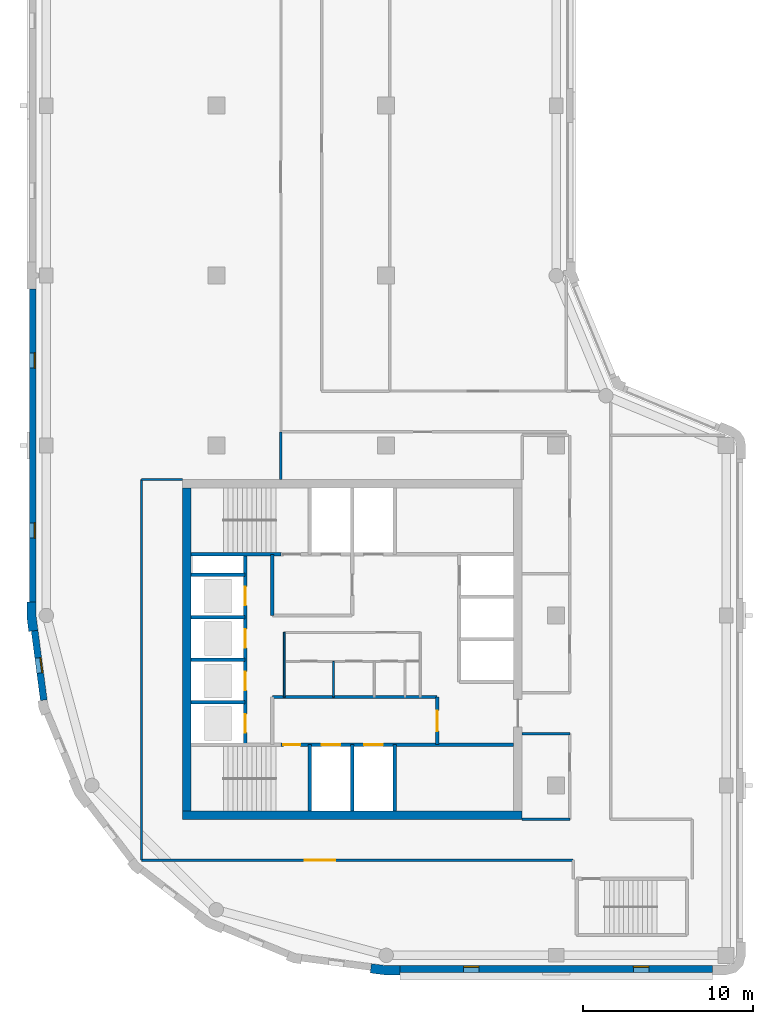
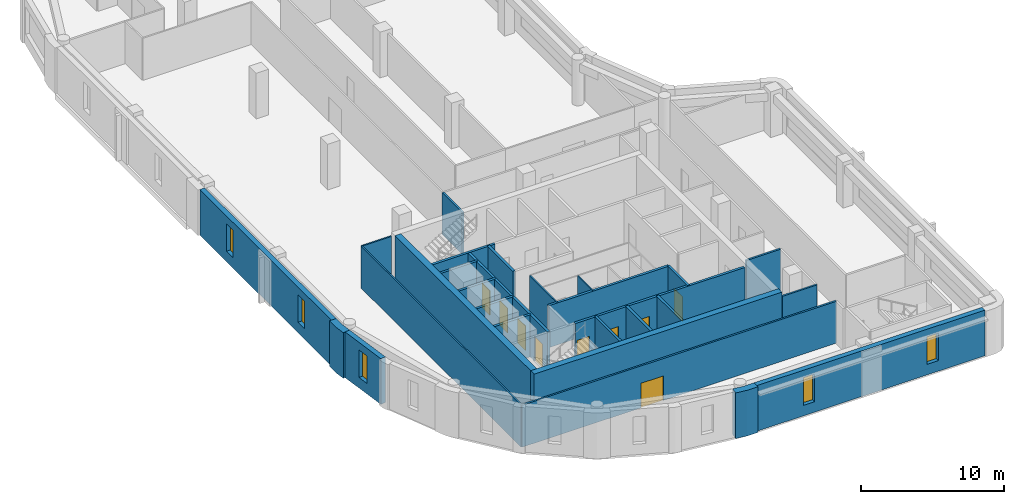
# One storey, part 2 of 8: 28 walls, 9 doors, 5 windows, 14 openings.
"""IFC4 building model written with IfcOpenShell, lengths in metres."""

from ifc_helpers import new_model, si_unit, direction, frame, frame_2d, origin, place, context, subcontext, project, spatial, polyline, rectangle, outline, extrude, material, layer, layer_set, type_object, element, fill, save


model = new_model("IFC4")

# Units and contexts
model_context = context("Model", 3, precision=1e-05, world=origin(), true_north=direction((0.0, 1.0)))
body_context = subcontext(model_context, "Body", "Model", "MODEL_VIEW")
ifc_project = project(units=[si_unit("LENGTHUNIT", "METRE"), si_unit("AREAUNIT", "SQUARE_METRE"), si_unit("VOLUMEUNIT", "CUBIC_METRE"), si_unit("PLANEANGLEUNIT", "RADIAN"), si_unit("MASSUNIT", "GRAM", prefix="KILO")], contexts=[model_context])

# Site, building, storey
site_placement = place(None, origin())
site = spatial("IfcSite", under=ifc_project, at=site_placement, CompositionType="ELEMENT")
building_placement = place(site_placement, origin())
building = spatial("IfcBuilding", under=site, at=building_placement, Name="Qaws Garden Tower", CompositionType="ELEMENT")
storey_placement = place(building_placement, frame((0.0, 0.0, 333.300048828125)))
storey = spatial("IfcBuildingStorey", under=building, at=storey_placement, Name="L81", CompositionType="ELEMENT", Elevation=333.300048828125)

# Wall, openings, windows
ifc_material_1 = material(Name="Clay facing brick masonry", Category="masonry")
ifc_layer_1 = layer(ifc_material_1, 0.39990234375)
ifc_layer_set_1 = layer_set([ifc_layer_1], Name="Clay facing brick masonry")
wall_type_1 = type_object("IfcWallType", Name="Brick infill wall 400", PredefinedType="SOLIDWALL", material=ifc_layer_set_1)
wall_1_placement = place(storey_placement, frame((20.800048828125, -0.800048828125, 0.0), z_axis=(0.0, 0.0, 1.0), x_axis=(1.0, 0.0, 0.0)))
wall_1 = element("IfcWall", 1, at=wall_1_placement, inside=storey, type_object=wall_type_1, Name="E-L81-infill-00", PredefinedType="SOLIDWALL", context=body_context, shape_type="SweptSolid", body=[
    extrude(rectangle(XDim=18.39990234375, YDim=0.39990234375, at=frame_2d((9.199951171875, 0.0))), origin(), (0.0, 0.0, 1.0), 3.89990234375),
])
opening_1_placement = place(wall_1_placement, frame((3.75, 0.0, 0.89990234375)))
opening_1 = element("IfcOpeningElement", 2, at=opening_1_placement, cuts=wall_1, Name="Opening W09", PredefinedType="OPENING", context=body_context, shape_type="SweptSolid", body=[
    extrude(rectangle(XDim=0.89990234375, YDim=2.35009765625, at=frame_2d((0.449951171875, 1.175048828125))), frame((0.0, 0.2099609375, 0.0), z_axis=(0.0, -1.0, 0.0), x_axis=(1.0, 0.0, 0.0)), (0.0, 0.0, 1.0), 0.419921875),
])
opening_2_placement = place(wall_1_placement, frame((13.75, 0.0, 0.89990234375)))
opening_2 = element("IfcOpeningElement", 3, at=opening_2_placement, cuts=wall_1, Name="Opening W09", PredefinedType="OPENING", context=body_context, shape_type="SweptSolid", body=[
    extrude(rectangle(XDim=0.89990234375, YDim=2.35009765625, at=frame_2d((0.449951171875, 1.175048828125))), frame((0.0, 0.2099609375, 0.0), z_axis=(0.0, -1.0, 0.0), x_axis=(1.0, 0.0, 0.0)), (0.0, 0.0, 1.0), 0.419921875),
])
ifc_material_2 = material(Name="Aluminium framed window, clear glazing", Category="aluminium")
window_type = type_object("IfcWindowType", Name="Slit window 900 x 2350", PartitioningType="SINGLE_PANEL", PredefinedType="WINDOW", material=ifc_material_2)
window_1_placement = place(opening_1_placement, origin())
window_1 = element("IfcWindow", 4, at=window_1_placement, inside=storey, type_object=window_type, Name="E-L81-window-00-0", OverallHeight=2.35009765625, OverallWidth=0.89990234375, PartitioningType="SINGLE_PANEL", PredefinedType="WINDOW", context=body_context, shape_type="SweptSolid", body=[
    extrude(rectangle(XDim=0.89990234375, YDim=2.35009765625, at=frame_2d((0.449951171875, 1.175048828125))), frame((0.0, 0.159912109375, 0.0), z_axis=(0.0, -1.0, 0.0), x_axis=(1.0, 0.0, 0.0)), (0.0, 0.0, 1.0), 0.06005859375),
])
fill(opening_1, window_1)
window_2_placement = place(opening_2_placement, origin())
window_2 = element("IfcWindow", 5, at=window_2_placement, inside=storey, type_object=window_type, Name="E-L81-window-01-0", OverallHeight=2.35009765625, OverallWidth=0.89990234375, PartitioningType="SINGLE_PANEL", PredefinedType="WINDOW", context=body_context, shape_type="SweptSolid", body=[
    extrude(rectangle(XDim=0.89990234375, YDim=2.35009765625, at=frame_2d((0.449951171875, 1.175048828125))), frame((0.0, 0.159912109375, 0.0), z_axis=(0.0, -1.0, 0.0), x_axis=(1.0, 0.0, 0.0)), (0.0, 0.0, 1.0), 0.06005859375),
])
fill(opening_2, window_2)

wall_2_placement = place(storey_placement, frame((-0.800048828125, 39.199951171875, 0.0), z_axis=(0.0, 0.0, 1.0), x_axis=(0.0, -1.0, 0.0)))
wall_2 = element("IfcWall", 6, at=wall_2_placement, inside=storey, type_object=wall_type_1, Name="E-L81-infill-19", PredefinedType="SOLIDWALL", context=body_context, shape_type="SweptSolid", body=[
    extrude(rectangle(XDim=18.39990234375, YDim=0.39990234375, at=frame_2d((9.199951171875, 0.0))), origin(), (0.0, 0.0, 1.0), 3.89990234375),
])
opening_3_placement = place(wall_2_placement, frame((3.75, 0.0, 0.89990234375)))
opening_3 = element("IfcOpeningElement", 7, at=opening_3_placement, cuts=wall_2, Name="Opening W09", PredefinedType="OPENING", context=body_context, shape_type="SweptSolid", body=[
    extrude(rectangle(XDim=0.89990234375, YDim=2.35009765625, at=frame_2d((0.449951171875, 1.175048828125))), frame((0.0, 0.2099609375, 0.0), z_axis=(0.0, -1.0, 0.0), x_axis=(1.0, 0.0, 0.0)), (0.0, 0.0, 1.0), 0.419921875),
])
opening_4_placement = place(wall_2_placement, frame((13.75, 0.0, 0.89990234375)))
opening_4 = element("IfcOpeningElement", 8, at=opening_4_placement, cuts=wall_2, Name="Opening W09", PredefinedType="OPENING", context=body_context, shape_type="SweptSolid", body=[
    extrude(rectangle(XDim=0.89990234375, YDim=2.35009765625, at=frame_2d((0.449951171875, 1.175048828125))), frame((0.0, 0.2099609375, 0.0), z_axis=(0.0, -1.0, 0.0), x_axis=(1.0, 0.0, 0.0)), (0.0, 0.0, 1.0), 0.419921875),
])
window_3_placement = place(opening_3_placement, origin())
window_3 = element("IfcWindow", 9, at=window_3_placement, inside=storey, type_object=window_type, Name="E-L81-window-19-0", OverallHeight=2.35009765625, OverallWidth=0.89990234375, PartitioningType="SINGLE_PANEL", PredefinedType="WINDOW", context=body_context, shape_type="SweptSolid", body=[
    extrude(rectangle(XDim=0.89990234375, YDim=2.35009765625, at=frame_2d((0.449951171875, 1.175048828125))), frame((0.0, 0.159912109375, 0.0), z_axis=(0.0, -1.0, 0.0), x_axis=(1.0, 0.0, 0.0)), (0.0, 0.0, 1.0), 0.06005859375),
])
fill(opening_3, window_3)
window_4_placement = place(opening_4_placement, origin())
window_4 = element("IfcWindow", 10, at=window_4_placement, inside=storey, type_object=window_type, Name="E-L81-window-20-0", OverallHeight=2.35009765625, OverallWidth=0.89990234375, PartitioningType="SINGLE_PANEL", PredefinedType="WINDOW", context=body_context, shape_type="SweptSolid", body=[
    extrude(rectangle(XDim=0.89990234375, YDim=2.35009765625, at=frame_2d((0.449951171875, 1.175048828125))), frame((0.0, 0.159912109375, 0.0), z_axis=(0.0, -1.0, 0.0), x_axis=(1.0, 0.0, 0.0)), (0.0, 0.0, 1.0), 0.06005859375),
])
fill(opening_4, window_4)

# Wall, opening, window
wall_3_placement = place(storey_placement, frame((-0.688720703125, 19.102294921875, 0.0), z_axis=(0.0, 0.0, 1.0), x_axis=(0.130514280502, -0.991446429508, 0.0)))
wall_3 = element("IfcWall", 11, at=wall_3_placement, inside=storey, type_object=wall_type_1, Name="E-L81-infill-21", PredefinedType="SOLIDWALL", context=body_context, shape_type="SweptSolid", body=[
    extrude(rectangle(XDim=4.120849609375, YDim=0.39990234375, at=frame_2d((2.060546875, 0.0))), origin(), (0.0, 0.0, 1.0), 3.89990234375),
])
opening_5_placement = place(wall_3_placement, frame((1.610595703125, 0.0, 0.89990234375)))
opening_5 = element("IfcOpeningElement", 12, at=opening_5_placement, cuts=wall_3, Name="Opening W09", PredefinedType="OPENING", context=body_context, shape_type="SweptSolid", body=[
    extrude(rectangle(XDim=0.89990234375, YDim=2.35009765625, at=frame_2d((0.449951171875, 1.175048828125))), frame((0.0, 0.2099609375, 0.0), z_axis=(0.0, -1.0, 0.0), x_axis=(1.0, 0.0, 0.0)), (0.0, 0.0, 1.0), 0.419921875),
])
window_5_placement = place(opening_5_placement, origin())
window_5 = element("IfcWindow", 13, at=window_5_placement, inside=storey, type_object=window_type, Name="E-L81-window-21-0", OverallHeight=2.35009765625, OverallWidth=0.89990234375, PartitioningType="SINGLE_PANEL", PredefinedType="WINDOW", context=body_context, shape_type="SweptSolid", body=[
    extrude(rectangle(XDim=0.89990234375, YDim=2.35009765625, at=frame_2d((0.449951171875, 1.175048828125))), frame((0.0, 0.159912109375, 0.0), z_axis=(0.0, -1.0, 0.0), x_axis=(1.0, 0.0, 0.0)), (0.0, 0.0, 1.0), 0.06005859375),
])
fill(opening_5, window_5)

# Walls
ifc_material_3 = material(Name="Clay facing brick masonry", Category="masonry")
ifc_layer_2 = layer(ifc_material_3, 0.550048828125)
ifc_layer_set_2 = layer_set([ifc_layer_2], Name="Clay facing brick masonry")
wall_type_2 = type_object("IfcWallType", Name="Brick pier 550 x 1600", PredefinedType="SOLIDWALL", material=ifc_layer_set_2)
placement = place(storey_placement, origin())
element("IfcWall", 14, at=placement, inside=storey, type_object=wall_type_2, Name="E-L81-pier-00", PredefinedType="SOLIDWALL", context=body_context, shape_type="SweptSolid", body=[
    extrude(outline(polyline([(19.076416015625, -0.886962890625), (19.056640625, -1.03564453125), (19.924560546875, -1.14990234375), (20.800048828125, -1.14990234375), (20.800048828125, -1.0), (20.800048828125, -0.60009765625), (19.960693359375, -0.60009765625), (19.12841796875, -0.490478515625), (19.076416015625, -0.886962890625)])), origin(), (0.0, 0.0, 1.0), 3.89990234375),
])
element("IfcWall", 15, at=placement, inside=storey, type_object=wall_type_2, Name="E-L81-pier-21", PredefinedType="SOLIDWALL", context=body_context, shape_type="SweptSolid", body=[
    extrude(outline(polyline([(-1.0, 20.800048828125), (-1.14990234375, 20.800048828125), (-1.14990234375, 19.924560546875), (-1.03564453125, 19.056640625), (-0.886962890625, 19.076416015625), (-0.490478515625, 19.12841796875), (-0.60009765625, 19.960693359375), (-0.60009765625, 20.800048828125), (-1.0, 20.800048828125)])), origin(), (0.0, 0.0, 1.0), 3.89990234375),
])
ifc_material_4 = material(Name="Plasterboard")
ifc_layer_3 = layer(ifc_material_4, 0.10009765625)
ifc_layer_set_3 = layer_set([ifc_layer_3], Name="Plasterboard")
wall_type_3 = type_object("IfcWallType", Name="Core partition 100", PredefinedType="PARTITIONING", material=ifc_layer_set_3)
wall_6_placement = place(storey_placement, frame((14.0, 15.199951171875, 0.0), z_axis=(0.0, 0.0, 1.0), x_axis=(0.0, 1.0, 0.0)))
element("IfcWall", 16, at=wall_6_placement, inside=storey, type_object=wall_type_3, Name="Core partition", PredefinedType="PARTITIONING", context=body_context, shape_type="SweptSolid", body=[
    extrude(rectangle(XDim=3.800048828125, YDim=0.10009765625, at=frame_2d((1.89990234375, 0.0))), origin(), (0.0, 0.0, 1.0), 3.579833984375),
])
wall_7_placement = place(storey_placement, frame((16.89990234375, 15.199951171875, 0.0), z_axis=(0.0, 0.0, 1.0), x_axis=(0.0, 1.0, 0.0)))
element("IfcWall", 17, at=wall_7_placement, inside=storey, type_object=wall_type_3, Name="Core partition", PredefinedType="PARTITIONING", context=body_context, shape_type="SweptSolid", body=[
    extrude(rectangle(XDim=2.10009765625, YDim=0.10009765625, at=frame_2d((1.050048828125, 0.0))), origin(), (0.0, 0.0, 1.0), 3.579833984375),
])

# Wall, openings, doors
ifc_material_5 = material(Name="Concrete C60", Category="concrete")
ifc_layer_4 = layer(ifc_material_5, 0.199951171875)
ifc_layer_set_4 = layer_set([ifc_layer_4], Name="Concrete C60")
wall_type_4 = type_object("IfcWallType", Name="Core shaft wall 200 C60", PredefinedType="SHEAR", material=ifc_layer_set_4)
wall_8_placement = place(storey_placement, frame((13.800048828125, 12.39990234375, 0.0), z_axis=(0.0, 0.0, 1.0), x_axis=(1.0, 0.0, 0.0)))
wall_8 = element("IfcWall", 18, at=wall_8_placement, inside=storey, type_object=wall_type_4, Name="Shaft wall", PredefinedType="SHEAR", context=body_context, shape_type="SweptSolid", body=[
    extrude(rectangle(XDim=13.699951171875, YDim=0.199951171875, at=frame_2d((6.85009765625, 0.0))), origin(), (0.0, 0.0, 1.0), 3.579833984375),
])
opening_6_placement = place(wall_8_placement, frame((2.39990234375, 0.0, 0.0)))
opening_6 = element("IfcOpeningElement", 19, at=opening_6_placement, cuts=wall_8, Name="Opening LD06", PredefinedType="OPENING", context=body_context, shape_type="SweptSolid", body=[
    extrude(rectangle(XDim=1.10009765625, YDim=2.10009765625, at=frame_2d((0.550048828125, 1.050048828125))), frame((0.0, 0.10986328125, 0.0), z_axis=(0.0, -1.0, 0.0), x_axis=(1.0, 0.0, 0.0)), (0.0, 0.0, 1.0), 0.219970703125),
])
opening_7_placement = place(wall_8_placement, frame((4.89990234375, 0.0, 0.0)))
opening_7 = element("IfcOpeningElement", 20, at=opening_7_placement, cuts=wall_8, Name="Opening LD07", PredefinedType="OPENING", context=body_context, shape_type="SweptSolid", body=[
    extrude(rectangle(XDim=1.10009765625, YDim=2.10009765625, at=frame_2d((0.550048828125, 1.050048828125))), frame((0.0, 0.10986328125, 0.0), z_axis=(0.0, -1.0, 0.0), x_axis=(1.0, 0.0, 0.0)), (0.0, 0.0, 1.0), 0.219970703125),
])
opening_8_placement = place(wall_8_placement, frame((0.14990234375, 0.0, 0.0)))
opening_8 = element("IfcOpeningElement", 21, at=opening_8_placement, cuts=wall_8, Name="Opening SD10", PredefinedType="OPENING", context=body_context, shape_type="SweptSolid", body=[
    extrude(rectangle(XDim=1.0, YDim=2.10009765625, at=frame_2d((0.5, 1.050048828125))), frame((0.0, 0.10986328125, 0.0), z_axis=(0.0, -1.0, 0.0), x_axis=(1.0, 0.0, 0.0)), (0.0, 0.0, 1.0), 0.219970703125),
])
ifc_material_6 = material(Name="Steel S235", Category="steel")
door_type_1 = type_object("IfcDoorType", Name="Landing door 1100x2100", OperationType="DOUBLE_DOOR_SLIDING", PredefinedType="DOOR", material=ifc_material_6)
door_1_placement = place(opening_6_placement, origin())
door_1 = element("IfcDoor", 22, at=door_1_placement, inside=storey, type_object=door_type_1, Name="Lift FF1 landing door", OperationType="DOUBLE_DOOR_SLIDING", OverallHeight=2.10009765625, OverallWidth=1.10009765625, PredefinedType="DOOR", context=body_context, shape_type="SweptSolid", body=[
    extrude(rectangle(XDim=1.10009765625, YDim=2.10009765625, at=frame_2d((0.550048828125, 1.050048828125))), frame((0.0, 0.02490234375, 0.0), z_axis=(0.0, -1.0, 0.0), x_axis=(1.0, 0.0, 0.0)), (0.0, 0.0, 1.0), 0.050048828125),
])
fill(opening_6, door_1)
door_2_placement = place(opening_7_placement, origin())
door_2 = element("IfcDoor", 23, at=door_2_placement, inside=storey, type_object=door_type_1, Name="Lift FF2 landing door", OperationType="DOUBLE_DOOR_SLIDING", OverallHeight=2.10009765625, OverallWidth=1.10009765625, PredefinedType="DOOR", context=body_context, shape_type="SweptSolid", body=[
    extrude(rectangle(XDim=1.10009765625, YDim=2.10009765625, at=frame_2d((0.550048828125, 1.050048828125))), frame((0.0, 0.02490234375, 0.0), z_axis=(0.0, -1.0, 0.0), x_axis=(1.0, 0.0, 0.0)), (0.0, 0.0, 1.0), 0.050048828125),
])
fill(opening_7, door_2)
ifc_material_7 = material(Name="Steel S235", Category="steel")
door_type_2 = type_object("IfcDoorType", Name="Stair door 1000x2100", OperationType="SINGLE_SWING_RIGHT", PredefinedType="DOOR", material=ifc_material_7)
door_3_placement = place(opening_8_placement, frame((1.0, 0.0, 0.0), z_axis=(0.0, 0.0, 1.0), x_axis=(-1.0, 0.0, 0.0)))
door_3 = element("IfcDoor", 24, at=door_3_placement, inside=storey, type_object=door_type_2, Name="Stair 1 door", OperationType="SINGLE_SWING_LEFT", OverallHeight=2.10009765625, OverallWidth=1.0, PredefinedType="DOOR", context=body_context, shape_type="SweptSolid", body=[
    extrude(rectangle(XDim=1.0, YDim=2.10009765625, at=frame_2d((0.5, 1.050048828125))), frame((0.0, 0.02490234375, 0.0), z_axis=(0.0, -1.0, 0.0), x_axis=(1.0, 0.0, 0.0)), (0.0, 0.0, 1.0), 0.050048828125),
])
fill(opening_8, door_3)

# Walls
wall_9_placement = place(storey_placement, frame((8.5, 14.89990234375, 0.0), z_axis=(0.0, 0.0, 1.0), x_axis=(1.0, 0.0, 0.0)))
element("IfcWall", 25, at=wall_9_placement, inside=storey, type_object=wall_type_4, Name="Shaft wall", PredefinedType="SHEAR", context=body_context, shape_type="SweptSolid", body=[
    extrude(rectangle(XDim=3.199951171875, YDim=0.199951171875, at=frame_2d((1.60009765625, 0.0))), origin(), (0.0, 0.0, 1.0), 3.579833984375),
])
wall_10_placement = place(storey_placement, frame((13.300048828125, 15.199951171875, 0.0), z_axis=(0.0, 0.0, 1.0), x_axis=(1.0, 0.0, 0.0)))
element("IfcWall", 26, at=wall_10_placement, inside=storey, type_object=wall_type_4, Name="Shaft wall", PredefinedType="SHEAR", context=body_context, shape_type="SweptSolid", body=[
    extrude(rectangle(XDim=9.699951171875, YDim=0.199951171875, at=frame_2d((4.85009765625, 0.0))), origin(), (0.0, 0.0, 1.0), 3.579833984375),
])
for number, where, z_axis, x_axis, name in (
    (27, (8.5, 17.39990234375, 0.0), (0.0, 0.0, 1.0), (1.0, 0.0, 0.0), "Shaft wall"),
    (28, (8.5, 19.89990234375, 0.0), (0.0, 0.0, 1.0), (1.0, 0.0, 0.0), "Shaft wall"),
    (29, (8.5, 22.39990234375, 0.0), (0.0, 0.0, 1.0), (1.0, 0.0, 0.0), "Shaft wall"),
):
    element("IfcWall", number, at=place(storey_placement, frame(where, z_axis=z_axis, x_axis=x_axis)), inside=storey, type_object=wall_type_4, Name=name, PredefinedType="SHEAR", context=body_context, shape_type="SweptSolid", body=[
        extrude(rectangle(XDim=3.199951171875, YDim=0.199951171875, at=frame_2d((1.60009765625, 0.0))), origin(), (0.0, 0.0, 1.0), 3.579833984375),
    ])
wall_11_placement = place(storey_placement, frame((8.5, 23.60009765625, 0.0), z_axis=(0.0, 0.0, 1.0), x_axis=(1.0, 0.0, 0.0)))
element("IfcWall", 30, at=wall_11_placement, inside=storey, type_object=wall_type_4, Name="Shaft wall", PredefinedType="SHEAR", context=body_context, shape_type="SweptSolid", body=[
    extrude(rectangle(XDim=5.300048828125, YDim=0.199951171875, at=frame_2d((2.64990234375, 0.0))), origin(), (0.0, 0.0, 1.0), 3.579833984375),
])

# Wall, openings, doors
wall_12_placement = place(storey_placement, frame((11.699951171875, 12.39990234375, 0.0), z_axis=(0.0, 0.0, 1.0), x_axis=(0.0, 1.0, 0.0)))
wall_12 = element("IfcWall", 31, at=wall_12_placement, inside=storey, type_object=wall_type_4, Name="Shaft wall", PredefinedType="SHEAR", context=body_context, shape_type="SweptSolid", body=[
    extrude(rectangle(XDim=11.2001953125, YDim=0.199951171875, at=frame_2d((5.60009765625, 0.0))), origin(), (0.0, 0.0, 1.0), 3.579833984375),
])
opening_9_placement = place(wall_12_placement, frame((0.699951171875, 0.0, 0.0)))
opening_9 = element("IfcOpeningElement", 32, at=opening_9_placement, cuts=wall_12, Name="Opening LD01", PredefinedType="OPENING", context=body_context, shape_type="SweptSolid", body=[
    extrude(rectangle(XDim=1.10009765625, YDim=2.10009765625, at=frame_2d((0.550048828125, 1.050048828125))), frame((0.0, 0.10986328125, 0.0), z_axis=(0.0, -1.0, 0.0), x_axis=(1.0, 0.0, 0.0)), (0.0, 0.0, 1.0), 0.219970703125),
])
opening_10_placement = place(wall_12_placement, frame((3.199951171875, 0.0, 0.0)))
opening_10 = element("IfcOpeningElement", 33, at=opening_10_placement, cuts=wall_12, Name="Opening LD02", PredefinedType="OPENING", context=body_context, shape_type="SweptSolid", body=[
    extrude(rectangle(XDim=1.10009765625, YDim=2.10009765625, at=frame_2d((0.550048828125, 1.050048828125))), frame((0.0, 0.10986328125, 0.0), z_axis=(0.0, -1.0, 0.0), x_axis=(1.0, 0.0, 0.0)), (0.0, 0.0, 1.0), 0.219970703125),
])
opening_11_placement = place(wall_12_placement, frame((5.699951171875, 0.0, 0.0)))
opening_11 = element("IfcOpeningElement", 34, at=opening_11_placement, cuts=wall_12, Name="Opening LD03", PredefinedType="OPENING", context=body_context, shape_type="SweptSolid", body=[
    extrude(rectangle(XDim=1.10009765625, YDim=2.10009765625, at=frame_2d((0.550048828125, 1.050048828125))), frame((0.0, 0.10986328125, 0.0), z_axis=(0.0, -1.0, 0.0), x_axis=(1.0, 0.0, 0.0)), (0.0, 0.0, 1.0), 0.219970703125),
])
opening_12_placement = place(wall_12_placement, frame((8.199951171875, 0.0, 0.0)))
opening_12 = element("IfcOpeningElement", 35, at=opening_12_placement, cuts=wall_12, Name="Opening LD04", PredefinedType="OPENING", context=body_context, shape_type="SweptSolid", body=[
    extrude(rectangle(XDim=1.10009765625, YDim=2.10009765625, at=frame_2d((0.550048828125, 1.050048828125))), frame((0.0, 0.10986328125, 0.0), z_axis=(0.0, -1.0, 0.0), x_axis=(1.0, 0.0, 0.0)), (0.0, 0.0, 1.0), 0.219970703125),
])
door_4_placement = place(opening_9_placement, origin())
door_4 = element("IfcDoor", 36, at=door_4_placement, inside=storey, type_object=door_type_1, Name="Lift W1 landing door", OperationType="DOUBLE_DOOR_SLIDING", OverallHeight=2.10009765625, OverallWidth=1.10009765625, PredefinedType="DOOR", context=body_context, shape_type="SweptSolid", body=[
    extrude(rectangle(XDim=1.10009765625, YDim=2.10009765625, at=frame_2d((0.550048828125, 1.050048828125))), frame((0.0, 0.02490234375, 0.0), z_axis=(0.0, -1.0, 0.0), x_axis=(1.0, 0.0, 0.0)), (0.0, 0.0, 1.0), 0.050048828125),
])
fill(opening_9, door_4)
door_5_placement = place(opening_10_placement, origin())
door_5 = element("IfcDoor", 37, at=door_5_placement, inside=storey, type_object=door_type_1, Name="Lift W2 landing door", OperationType="DOUBLE_DOOR_SLIDING", OverallHeight=2.10009765625, OverallWidth=1.10009765625, PredefinedType="DOOR", context=body_context, shape_type="SweptSolid", body=[
    extrude(rectangle(XDim=1.10009765625, YDim=2.10009765625, at=frame_2d((0.550048828125, 1.050048828125))), frame((0.0, 0.02490234375, 0.0), z_axis=(0.0, -1.0, 0.0), x_axis=(1.0, 0.0, 0.0)), (0.0, 0.0, 1.0), 0.050048828125),
])
fill(opening_10, door_5)
door_6_placement = place(opening_11_placement, origin())
door_6 = element("IfcDoor", 38, at=door_6_placement, inside=storey, type_object=door_type_1, Name="Lift W3 landing door", OperationType="DOUBLE_DOOR_SLIDING", OverallHeight=2.10009765625, OverallWidth=1.10009765625, PredefinedType="DOOR", context=body_context, shape_type="SweptSolid", body=[
    extrude(rectangle(XDim=1.10009765625, YDim=2.10009765625, at=frame_2d((0.550048828125, 1.050048828125))), frame((0.0, 0.02490234375, 0.0), z_axis=(0.0, -1.0, 0.0), x_axis=(1.0, 0.0, 0.0)), (0.0, 0.0, 1.0), 0.050048828125),
])
fill(opening_11, door_6)
door_7_placement = place(opening_12_placement, origin())
door_7 = element("IfcDoor", 39, at=door_7_placement, inside=storey, type_object=door_type_1, Name="Lift W4 landing door", OperationType="DOUBLE_DOOR_SLIDING", OverallHeight=2.10009765625, OverallWidth=1.10009765625, PredefinedType="DOOR", context=body_context, shape_type="SweptSolid", body=[
    extrude(rectangle(XDim=1.10009765625, YDim=2.10009765625, at=frame_2d((0.550048828125, 1.050048828125))), frame((0.0, 0.02490234375, 0.0), z_axis=(0.0, -1.0, 0.0), x_axis=(1.0, 0.0, 0.0)), (0.0, 0.0, 1.0), 0.050048828125),
])
fill(opening_12, door_7)

# Walls
wall_13_placement = place(storey_placement, frame((13.300048828125, 20.0, 0.0), z_axis=(0.0, 0.0, 1.0), x_axis=(0.0, 1.0, 0.0)))
element("IfcWall", 40, at=wall_13_placement, inside=storey, type_object=wall_type_4, Name="Shaft wall", PredefinedType="SHEAR", context=body_context, shape_type="SweptSolid", body=[
    extrude(rectangle(XDim=3.60009765625, YDim=0.199951171875, at=frame_2d((1.800048828125, 0.0))), origin(), (0.0, 0.0, 1.0), 3.579833984375),
])
for number, where, z_axis, x_axis, name in (
    (41, (15.5, 8.5, 0.0), (0.0, 0.0, 1.0), (0.0, 1.0, 0.0), "Shaft wall"),
    (42, (18.0, 8.5, 0.0), (0.0, 0.0, 1.0), (0.0, 1.0, 0.0), "Shaft wall"),
    (43, (20.5, 8.5, 0.0), (0.0, 0.0, 1.0), (0.0, 1.0, 0.0), "Shaft wall"),
):
    element("IfcWall", number, at=place(storey_placement, frame(where, z_axis=z_axis, x_axis=x_axis)), inside=storey, type_object=wall_type_4, Name=name, PredefinedType="SHEAR", context=body_context, shape_type="SweptSolid", body=[
        extrude(rectangle(XDim=3.89990234375, YDim=0.199951171875, at=frame_2d((1.949951171875, 0.0))), origin(), (0.0, 0.0, 1.0), 3.579833984375),
    ])

# Wall, opening, door
wall_14_placement = place(storey_placement, frame((23.0, 12.39990234375, 0.0), z_axis=(0.0, 0.0, 1.0), x_axis=(0.0, 1.0, 0.0)))
wall_14 = element("IfcWall", 44, at=wall_14_placement, inside=storey, type_object=wall_type_4, Name="Shaft wall", PredefinedType="SHEAR", context=body_context, shape_type="SweptSolid", body=[
    extrude(rectangle(XDim=2.800048828125, YDim=0.199951171875, at=frame_2d((1.39990234375, 0.0))), origin(), (0.0, 0.0, 1.0), 3.579833984375),
])
opening_13_placement = place(wall_14_placement, frame((0.800048828125, 0.0, 0.0)))
opening_13 = element("IfcOpeningElement", 45, at=opening_13_placement, cuts=wall_14, Name="Opening FD15", PredefinedType="OPENING", context=body_context, shape_type="SweptSolid", body=[
    extrude(rectangle(XDim=1.199951171875, YDim=2.10009765625, at=frame_2d((0.60009765625, 1.050048828125))), frame((0.0, 0.10986328125, 0.0), z_axis=(0.0, -1.0, 0.0), x_axis=(1.0, 0.0, 0.0)), (0.0, 0.0, 1.0), 0.219970703125),
])
ifc_material_8 = material(Name="Steel S235", Category="steel")
door_type_3 = type_object("IfcDoorType", Name="Lobby door 1200x2100", OperationType="DOUBLE_DOOR_SINGLE_SWING", PredefinedType="DOOR", material=ifc_material_8)
door_8_placement = place(opening_13_placement, origin())
door_8 = element("IfcDoor", 46, at=door_8_placement, inside=storey, type_object=door_type_3, Name="Fire-fighting lobby door", OperationType="DOUBLE_DOOR_SINGLE_SWING", OverallHeight=2.10009765625, OverallWidth=1.199951171875, PredefinedType="DOOR", context=body_context, shape_type="SweptSolid", body=[
    extrude(rectangle(XDim=1.199951171875, YDim=2.10009765625, at=frame_2d((0.60009765625, 1.050048828125))), frame((0.0, 0.02490234375, 0.0), z_axis=(0.0, -1.0, 0.0), x_axis=(1.0, 0.0, 0.0)), (0.0, 0.0, 1.0), 0.050048828125),
])
fill(opening_13, door_8)

# Walls
ifc_material_9 = material(Name="Concrete C60", Category="concrete")
ifc_layer_5 = layer(ifc_material_9, 0.5)
ifc_layer_set_5 = layer_set([ifc_layer_5], Name="Concrete C60")
wall_type_5 = type_object("IfcWallType", Name="Core wall 500 C60", PredefinedType="SHEAR", material=ifc_layer_set_5)
wall_15_placement = place(storey_placement, frame((8.0, 8.25, 0.0), z_axis=(0.0, 0.0, 1.0), x_axis=(1.0, 0.0, 0.0)))
element("IfcWall", 47, at=wall_15_placement, inside=storey, type_object=wall_type_5, Name="Core wall L81 south", PredefinedType="SHEAR", context=body_context, shape_type="SweptSolid", body=[
    extrude(rectangle(XDim=20.0, YDim=0.5, at=frame_2d((10.0, 0.0))), origin(), (0.0, 0.0, 1.0), 3.89990234375),
])
wall_16_placement = place(storey_placement, frame((8.25, 27.5, 0.0), z_axis=(0.0, 0.0, 1.0), x_axis=(0.0, -1.0, 0.0)))
element("IfcWall", 48, at=wall_16_placement, inside=storey, type_object=wall_type_5, Name="Core wall L81 west", PredefinedType="SHEAR", context=body_context, shape_type="SweptSolid", body=[
    extrude(rectangle(XDim=19.0, YDim=0.5, at=frame_2d((9.5, 0.0))), origin(), (0.0, 0.0, 1.0), 3.89990234375),
])
ifc_material_10 = material(Name="Glass and aluminium framing", Category="aluminium")
ifc_layer_6 = layer(ifc_material_10, 0.1201171875)
ifc_layer_set_6 = layer_set([ifc_layer_6], Name="Glass and aluminium framing")
wall_type_6 = type_object("IfcWallType", Name="GLAZED PARTITION 120 EI 30", PredefinedType="PARTITIONING", material=ifc_layer_set_6)
wall_17_placement = place(storey_placement, frame((5.60009765625, 5.60009765625, 0.0), z_axis=(0.0, 0.0, 1.0), x_axis=(0.0, 1.0, 0.0)))
element("IfcWall", 49, at=wall_17_placement, inside=storey, type_object=wall_type_6, Name="O-L81-wall-032", PredefinedType="PARTITIONING", context=body_context, shape_type="SweptSolid", body=[
    extrude(rectangle(XDim=22.39990234375, YDim=0.1201171875, at=frame_2d((11.199951171875, 0.0))), origin(), (0.0, 0.0, 1.0), 3.579833984375),
])
wall_18_placement = place(storey_placement, frame((5.60009765625, 28.0, 0.0), z_axis=(0.0, 0.0, 1.0), x_axis=(1.0, 0.0, 0.0)))
element("IfcWall", 50, at=wall_18_placement, inside=storey, type_object=wall_type_6, Name="O-L81-wall-036", PredefinedType="PARTITIONING", context=body_context, shape_type="SweptSolid", body=[
    extrude(rectangle(XDim=2.39990234375, YDim=0.1201171875, at=frame_2d((1.199951171875, 0.0))), origin(), (0.0, 0.0, 1.0), 3.579833984375),
])
ifc_material_11 = material(Name="Gypsum board partition")
ifc_layer_7 = layer(ifc_material_11, 0.14990234375)
ifc_layer_set_7 = layer_set([ifc_layer_7], Name="Gypsum board partition")
wall_type_7 = type_object("IfcWallType", Name="PARTITION 150 EI 60", PredefinedType="PARTITIONING", material=ifc_layer_set_7)
wall_19_placement = place(storey_placement, frame((13.800048828125, 28.0, 0.0), z_axis=(0.0, 0.0, 1.0), x_axis=(0.0, 1.0, 0.0)))
element("IfcWall", 51, at=wall_19_placement, inside=storey, type_object=wall_type_7, Name="O-L81-wall-001", PredefinedType="PARTITIONING", context=body_context, shape_type="SweptSolid", body=[
    extrude(rectangle(XDim=2.801025390625, YDim=0.14990234375, at=frame_2d((1.400390625, 0.0))), origin(), (0.0, 0.0, 1.0), 3.579833984375),
])

# Wall, opening, door
wall_20_placement = place(storey_placement, frame((5.60009765625, 5.60009765625, 0.0), z_axis=(0.0, 0.0, 1.0), x_axis=(1.0, 0.0, 0.0)))
wall_20 = element("IfcWall", 52, at=wall_20_placement, inside=storey, type_object=wall_type_7, Name="O-L81-wall-015", PredefinedType="PARTITIONING", context=body_context, shape_type="SweptSolid", body=[
    extrude(rectangle(XDim=25.39990234375, YDim=0.14990234375, at=frame_2d((12.699951171875, 0.0))), origin(), (0.0, 0.0, 1.0), 3.579833984375),
])
opening_14_placement = place(wall_20_placement, frame((9.60009765625, 0.0, 0.0)))
opening_14 = element("IfcOpeningElement", 53, at=opening_14_placement, cuts=wall_20, Name="Opening C901", PredefinedType="OPENING", context=body_context, shape_type="SweptSolid", body=[
    extrude(rectangle(XDim=1.800048828125, YDim=2.10009765625, at=frame_2d((0.89990234375, 1.050048828125))), frame((0.0, 0.0849609375, 0.0), z_axis=(0.0, -1.0, 0.0), x_axis=(1.0, 0.0, 0.0)), (0.0, 0.0, 1.0), 0.169921875),
])
ifc_material_12 = material(Name="Timber door leaf", Category="wood")
door_type_4 = type_object("IfcDoorType", Name="DOUBLE DOOR 1800 X 2100", OperationType="DOUBLE_DOOR_SINGLE_SWING", PredefinedType="DOOR", material=ifc_material_12)
door_9_placement = place(opening_14_placement, frame((1.800048828125, 0.0, 0.0), z_axis=(0.0, 0.0, 1.0), x_axis=(-1.0, 0.0, 0.0)))
door_9 = element("IfcDoor", 54, at=door_9_placement, inside=storey, type_object=door_type_4, Name="O-L81-door-001", OperationType="DOUBLE_DOOR_SINGLE_SWING", OverallHeight=2.10009765625, OverallWidth=1.800048828125, PredefinedType="DOOR", context=body_context, shape_type="SweptSolid", body=[
    extrude(rectangle(XDim=1.800048828125, YDim=2.10009765625, at=frame_2d((0.89990234375, 1.050048828125))), frame((0.0, 0.02490234375, 0.0), z_axis=(0.0, -1.0, 0.0), x_axis=(1.0, 0.0, 0.0)), (0.0, 0.0, 1.0), 0.050048828125),
])
fill(opening_14, door_9)

# Walls
for number, where, z_axis, x_axis, name in (
    (55, (28.0, 8.0, 0.0), (0.0, 0.0, 1.0), (1.0, 0.0, 0.0), "O-L81-wall-016"),
    (56, (28.0, 13.050048828125, 0.0), (0.0, 0.0, 1.0), (1.0, 0.0, 0.0), "O-L81-wall-018"),
):
    element("IfcWall", number, at=place(storey_placement, frame(where, z_axis=z_axis, x_axis=x_axis)), inside=storey, type_object=wall_type_7, Name=name, PredefinedType="PARTITIONING", context=body_context, shape_type="SweptSolid", body=[
        extrude(rectangle(XDim=2.800048828125, YDim=0.14990234375, at=frame_2d((1.39990234375, 0.0))), origin(), (0.0, 0.0, 1.0), 3.579833984375),
    ])

save(model, "model.ifc")
